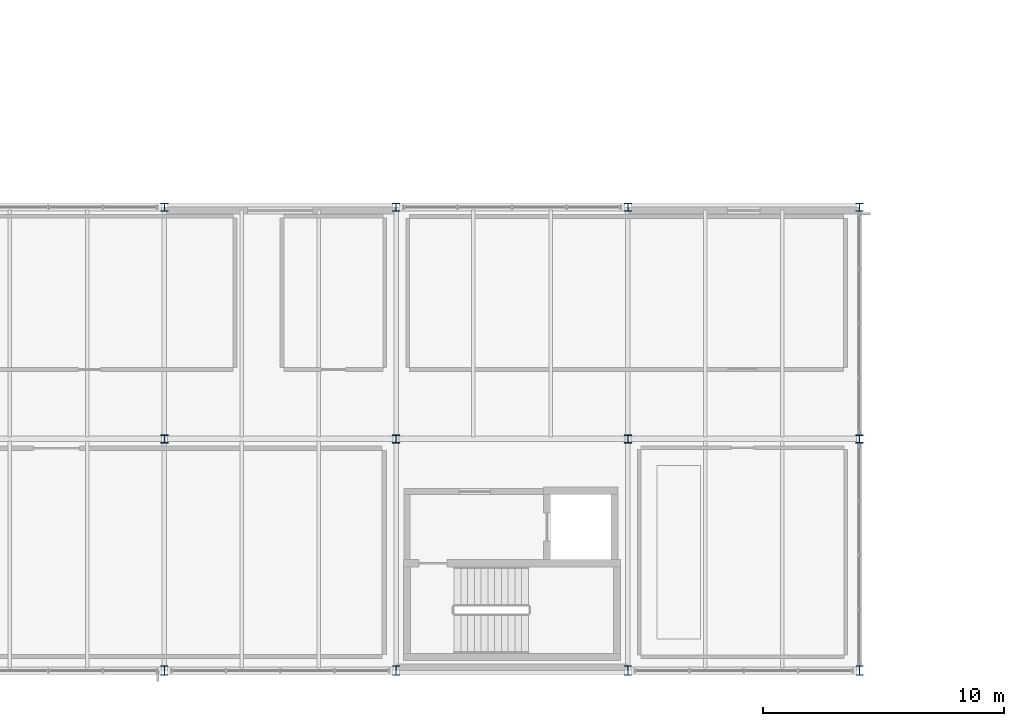
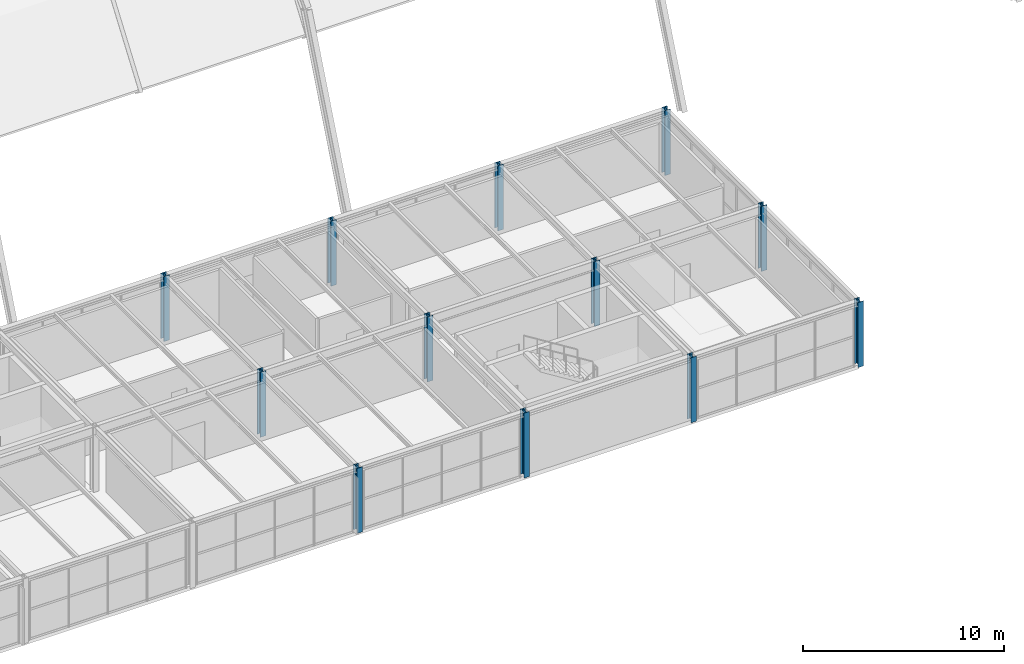
# One storey, part 4 of 126: 12 columns.
"""IFC4 building model written with IfcOpenShell, lengths in metres."""

from ifc_helpers import new_model, si_unit, direction, frame, origin, origin_2d, place, context, subcontext, project, spatial, i_section, extrude, material, material_profile, profile_set, type_object, element, save


model = new_model("IFC4")

# Units and contexts
model_context = context("Model", 3, precision=1e-05, world=origin(), true_north=direction((0.0, 1.0)))
body_context = subcontext(model_context, "Body", "Model", "MODEL_VIEW")
ifc_project = project(units=[si_unit("LENGTHUNIT", "METRE"), si_unit("AREAUNIT", "SQUARE_METRE"), si_unit("VOLUMEUNIT", "CUBIC_METRE"), si_unit("PLANEANGLEUNIT", "RADIAN"), si_unit("MASSUNIT", "GRAM", prefix="KILO")], contexts=[model_context])

# Site, building, storey
site_placement = place(None, origin())
site = spatial("IfcSite", under=ifc_project, at=site_placement, CompositionType="ELEMENT")
building_placement = place(site_placement, origin())
building = spatial("IfcBuilding", under=site, at=building_placement, Name="Coralgate Yard Interchange", CompositionType="ELEMENT")
storey_placement = place(building_placement, frame((0.0, 0.0, 10.5)))
storey = spatial("IfcBuildingStorey", under=building, at=storey_placement, Name="L02", CompositionType="ELEMENT", Elevation=10.5)

# Columns
ifc_material = material(Name="Structural steel S355J2", Category="steel")
ifc_material_profile_1 = material_profile(ifc_material, i_section(OverallWidth=0.300048828125, OverallDepth=0.39990234375, WebThickness=0.013427734375, FlangeThickness=0.02392578125, FilletRadius=0.027099609375, at=origin_2d()), Name="HEB 400")
ifc_profile_set_1 = profile_set([ifc_material_profile_1], Name="Structural steel S355J2")
column_type_1 = type_object("IfcColumnType", Name="COL-SC-11", PredefinedType="COLUMN", material=ifc_profile_set_1)
for number, where, z_axis, x_axis, name in (
    (1, (67.199951171875, 0.0, 0.0), (0.0, 0.0, 1.0), (1.0, 0.0, 0.0), "L02 structural column 7-0"),
    (2, (76.800048828125, 0.0, 0.0), (0.0, 0.0, 1.0), (1.0, 0.0, 0.0), "L02 structural column 8-0"),
    (3, (86.39990234375, 0.0, 0.0), (0.0, 0.0, 1.0), (1.0, 0.0, 0.0), "L02 structural column 9-0"),
    (4, (96.0, 0.0, 0.0), (0.0, 0.0, 1.0), (1.0, 0.0, 0.0), "L02 structural column 10-0"),
):
    element("IfcColumn", number, at=place(storey_placement, frame(where, z_axis=z_axis, x_axis=x_axis)), inside=storey, type_object=column_type_1, Name=name, PredefinedType="COLUMN", context=body_context, shape_type="SweptSolid", body=[
        extrude(i_section(OverallWidth=0.300048828125, OverallDepth=0.39990234375, WebThickness=0.013427734375, FlangeThickness=0.02392578125, FilletRadius=0.027099609375, at=origin_2d()), origin(), (0.0, 0.0, 1.0), 3.949951171875),
    ])
ifc_material_profile_2 = material_profile(ifc_material, i_section(OverallWidth=0.314453125, OverallDepth=0.33984375, WebThickness=0.01904296875, FlangeThickness=0.031494140625, FilletRadius=0.01513671875, at=origin_2d()), Name="UC 305x305x198")
ifc_profile_set_2 = profile_set([ifc_material_profile_2], Name="Structural steel S355J2")
column_type_2 = type_object("IfcColumnType", Name="COL-SC-4", PredefinedType="COLUMN", material=ifc_profile_set_2)
for number, where, z_axis, x_axis, name in (
    (5, (67.199951171875, 9.60009765625, 0.0), (0.0, 0.0, 1.0), (1.0, 0.0, 0.0), "L02 structural column 7-1"),
    (6, (67.199951171875, 19.199951171875, 0.0), (0.0, 0.0, 1.0), (1.0, 0.0, 0.0), "L02 structural column 7-2"),
    (7, (76.800048828125, 9.60009765625, 0.0), (0.0, 0.0, 1.0), (1.0, 0.0, 0.0), "L02 structural column 8-1"),
    (8, (76.800048828125, 19.199951171875, 0.0), (0.0, 0.0, 1.0), (1.0, 0.0, 0.0), "L02 structural column 8-2"),
    (9, (86.39990234375, 9.60009765625, 0.0), (0.0, 0.0, 1.0), (1.0, 0.0, 0.0), "L02 structural column 9-1"),
    (10, (86.39990234375, 19.199951171875, 0.0), (0.0, 0.0, 1.0), (1.0, 0.0, 0.0), "L02 structural column 9-2"),
    (11, (96.0, 9.60009765625, 0.0), (0.0, 0.0, 1.0), (1.0, 0.0, 0.0), "L02 structural column 10-1"),
    (12, (96.0, 19.199951171875, 0.0), (0.0, 0.0, 1.0), (1.0, 0.0, 0.0), "L02 structural column 10-2"),
):
    element("IfcColumn", number, at=place(storey_placement, frame(where, z_axis=z_axis, x_axis=x_axis)), inside=storey, type_object=column_type_2, Name=name, PredefinedType="COLUMN", context=body_context, shape_type="SweptSolid", body=[
        extrude(i_section(OverallWidth=0.314453125, OverallDepth=0.33984375, WebThickness=0.01904296875, FlangeThickness=0.031494140625, FilletRadius=0.01513671875, at=origin_2d()), origin(), (0.0, 0.0, 1.0), 3.949951171875),
    ])

save(model, "model.ifc")
